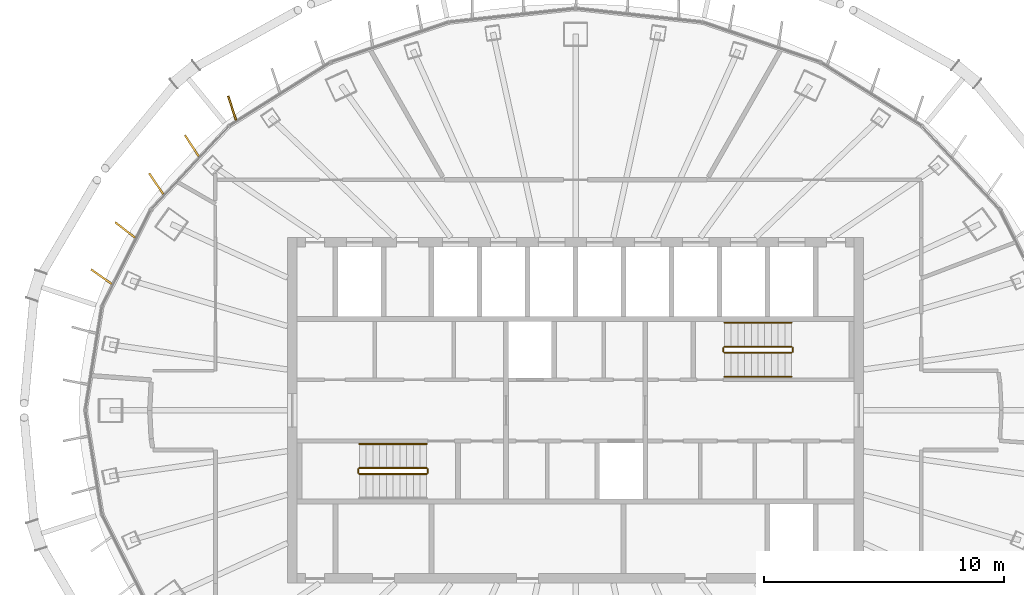
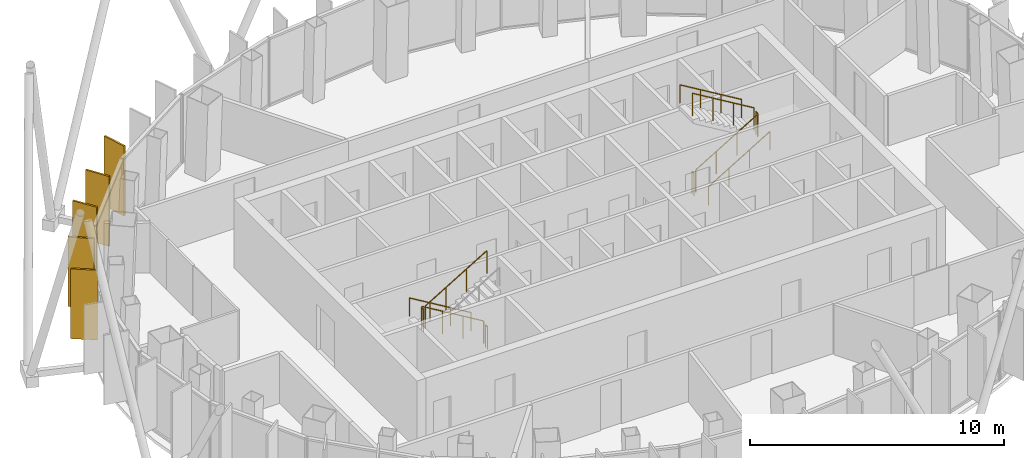
# One storey, part 17 of 18: 11 railings, 5 shading devices.
"""IFC4 building model written with IfcOpenShell, lengths in metres."""

from ifc_helpers import new_model, si_unit, direction, frame, origin, origin_2d, place, context, subcontext, project, spatial, rectangle, circle, extrude, material, layer, layer_set, type_object, element, save


model = new_model("IFC4")

# Units and contexts
model_context = context("Model", 3, precision=1e-05, world=origin(), true_north=direction((0.0, 1.0)))
body_context = subcontext(model_context, "Body", "Model", "MODEL_VIEW")
ifc_project = project(units=[si_unit("LENGTHUNIT", "METRE"), si_unit("AREAUNIT", "SQUARE_METRE"), si_unit("VOLUMEUNIT", "CUBIC_METRE"), si_unit("PLANEANGLEUNIT", "RADIAN"), si_unit("MASSUNIT", "GRAM", prefix="KILO")], contexts=[model_context])

# Site, building, storey
site_placement = place(None, origin())
site = spatial("IfcSite", under=ifc_project, at=site_placement, CompositionType="ELEMENT")
building_placement = place(site_placement, origin())
building = spatial("IfcBuilding", under=site, at=building_placement, Name="Siaravel Broadcast Tower", CompositionType="ELEMENT")
storey_placement = place(building_placement, frame((0.0, 0.0, 261.5)))
storey = spatial("IfcBuildingStorey", under=building, at=storey_placement, Name="L64", CompositionType="ELEMENT", Elevation=261.5)

# Shading devices
ifc_material_1 = material(Name="Bronze anodised aluminium", Category="aluminium")
ifc_layer = layer(ifc_material_1, 0.080078125)
ifc_layer_set = layer_set([ifc_layer], Name="Bronze anodised aluminium")
shading_device_type = type_object("IfcShadingDeviceType", Name="Bronze fin zone 4", PredefinedType="USERDEFINED", material=ifc_layer_set)
for number, where, z_axis, x_axis, name in (
    (1, (-14.306884765625, 12.593017578125, 0.300048828125), (0.0, 0.0, 1.0), (-0.311713096, 0.950176271, 0.0), "Bronze fin L64-21"),
    (2, (-15.98291015625, 11.02197265625, 0.300048828125), (0.0, 0.0, 1.0), (-0.546607746, 0.837388782, 0.0), "Bronze fin L64-22"),
    (3, (-17.46728515625, 9.440185546875, 0.300048828125), (0.0, 0.0, 1.0), (-0.561614141, 0.827399273, 0.0), "Bronze fin L64-23"),
    (4, (-18.76171875, 7.51513671875, 0.300048828125), (0.0, 0.0, 1.0), (-0.790980122, 0.611841847, 0.0), "Bronze fin L64-24"),
    (5, (-19.750244140625, 5.569091796875, 0.300048828125), (0.0, 0.0, 1.0), (-0.81719721, 0.576358152, 0.0), "Bronze fin L64-25"),
):
    element("IfcShadingDevice", number, at=place(storey_placement, frame(where, z_axis=z_axis, x_axis=x_axis)), inside=storey, type_object=shading_device_type, Name=name, ObjectType="FIN", PredefinedType="USERDEFINED", context=body_context, shape_type="SweptSolid", body=[
        extrude(rectangle(XDim=1.050048828125, YDim=0.080078125, at=origin_2d()), origin(), (0.0, 0.0, 1.0), 3.35009765625),
    ])

# Railings
ifc_material_2 = material(Name="Stainless steel 316L", Category="steel")
railing_type_1 = type_object("IfcRailingType", Name="Stair guard 1100", PredefinedType="GUARDRAIL", material=ifc_material_2)
railing_1_placement = place(storey_placement, frame((-6.199951171875, -2.39990234375, 0.168212890625)))
element("IfcRailing", 6, at=railing_1_placement, inside=storey, type_object=railing_type_1, Name="L64 ST-1 stair guard 1", PredefinedType="GUARDRAIL", context=body_context, shape_type="SweptSolid", body=[
    extrude(circle(Radius=0.02392578125, at=origin_2d()), frame((0.0, 0.0, 1.076171875), z_axis=(-0.857242211, 0.0, 0.514913383), x_axis=(0.0, -1.0, 0.0)), (0.0, 0.0, 1.0), 3.266357421875),
    extrude(circle(Radius=0.02099609375, at=origin_2d()), origin(), (0.0, 0.0, 1.0), 1.052001953125),
    extrude(circle(Radius=0.02099609375, at=origin_2d()), frame((-0.933349609375, 0.0, 0.560546875)), (0.0, 0.0, 1.0), 1.052001953125),
    extrude(circle(Radius=0.02099609375, at=origin_2d()), frame((-1.86669921875, 0.0, 1.121337890625)), (0.0, 0.0, 1.0), 1.052001953125),
    extrude(circle(Radius=0.02099609375, at=origin_2d()), frame((-2.800048828125, 0.0, 1.681884765625)), (0.0, 0.0, 1.0), 1.052001953125),
])
railing_2_placement = place(storey_placement, frame((-9.050048828125, -2.449951171875, 1.85009765625)))
element("IfcRailing", 7, at=railing_2_placement, inside=storey, type_object=railing_type_1, Name="L64 ST-1 stair guard 2", PredefinedType="GUARDRAIL", context=body_context, shape_type="SweptSolid", body=[
    extrude(circle(Radius=0.02392578125, at=origin_2d()), frame((0.0, 0.0, 1.076171875), z_axis=(0.0, -1.0, 0.0), x_axis=(1.0, 0.0, 0.0)), (0.0, 0.0, 1.0), 0.150146484375),
    extrude(circle(Radius=0.02099609375, at=origin_2d()), origin(), (0.0, 0.0, 1.0), 1.052001953125),
    extrude(circle(Radius=0.02099609375, at=origin_2d()), frame((0.0, -0.150146484375, 0.0)), (0.0, 0.0, 1.0), 1.052001953125),
])
railing_3_placement = place(storey_placement, frame((-9.0, -2.64990234375, 2.01806640625)))
element("IfcRailing", 8, at=railing_3_placement, inside=storey, type_object=railing_type_1, Name="L64 ST-1 stair guard 3", PredefinedType="GUARDRAIL", context=body_context, shape_type="SweptSolid", body=[
    extrude(circle(Radius=0.02392578125, at=origin_2d()), frame((0.0, 0.0, 1.076171875), z_axis=(0.857242211, 0.0, 0.514913383), x_axis=(0.0, 1.0, 0.0)), (0.0, 0.0, 1.0), 3.266357421875),
    extrude(circle(Radius=0.02099609375, at=origin_2d()), origin(), (0.0, 0.0, 1.0), 1.052001953125),
    extrude(circle(Radius=0.02099609375, at=origin_2d()), frame((0.933349609375, 0.0, 0.560546875)), (0.0, 0.0, 1.0), 1.052001953125),
    extrude(circle(Radius=0.02099609375, at=origin_2d()), frame((1.86669921875, 0.0, 1.121337890625)), (0.0, 0.0, 1.0), 1.052001953125),
    extrude(circle(Radius=0.02099609375, at=origin_2d()), frame((2.800048828125, 0.0, 1.681884765625)), (0.0, 0.0, 1.0), 1.052001953125),
])
railing_4_placement = place(storey_placement, frame((-6.14990234375, -2.449951171875, 0.0)))
element("IfcRailing", 9, at=railing_4_placement, inside=storey, type_object=railing_type_1, Name="L64 ST-1 stair guard 4", PredefinedType="GUARDRAIL", context=body_context, shape_type="SweptSolid", body=[
    extrude(circle(Radius=0.02392578125, at=origin_2d()), frame((0.0, 0.0, 1.076171875), z_axis=(0.0, -1.0, 0.0), x_axis=(1.0, 0.0, 0.0)), (0.0, 0.0, 1.0), 0.150146484375),
    extrude(circle(Radius=0.02099609375, at=origin_2d()), origin(), (0.0, 0.0, 1.0), 1.052001953125),
    extrude(circle(Radius=0.02099609375, at=origin_2d()), frame((0.0, -0.150146484375, 0.0)), (0.0, 0.0, 1.0), 1.052001953125),
])
railing_5_placement = place(storey_placement, frame((6.199951171875, 2.39990234375, 0.168212890625)))
element("IfcRailing", 10, at=railing_5_placement, inside=storey, type_object=railing_type_1, Name="L64 ST-2 stair guard 1", PredefinedType="GUARDRAIL", context=body_context, shape_type="SweptSolid", body=[
    extrude(circle(Radius=0.02392578125, at=origin_2d()), frame((0.0, 0.0, 1.076171875), z_axis=(0.857242211, 0.0, 0.514913383), x_axis=(0.0, 1.0, 0.0)), (0.0, 0.0, 1.0), 3.266357421875),
    extrude(circle(Radius=0.02099609375, at=origin_2d()), origin(), (0.0, 0.0, 1.0), 1.052001953125),
    extrude(circle(Radius=0.02099609375, at=origin_2d()), frame((0.933349609375, 0.0, 0.560546875)), (0.0, 0.0, 1.0), 1.052001953125),
    extrude(circle(Radius=0.02099609375, at=origin_2d()), frame((1.86669921875, 0.0, 1.121337890625)), (0.0, 0.0, 1.0), 1.052001953125),
    extrude(circle(Radius=0.02099609375, at=origin_2d()), frame((2.800048828125, 0.0, 1.681884765625)), (0.0, 0.0, 1.0), 1.052001953125),
])
railing_6_placement = place(storey_placement, frame((9.050048828125, 2.449951171875, 1.85009765625)))
element("IfcRailing", 11, at=railing_6_placement, inside=storey, type_object=railing_type_1, Name="L64 ST-2 stair guard 2", PredefinedType="GUARDRAIL", context=body_context, shape_type="SweptSolid", body=[
    extrude(circle(Radius=0.02392578125, at=origin_2d()), frame((0.0, 0.0, 1.076171875), z_axis=(0.0, 1.0, 0.0), x_axis=(-1.0, 0.0, 0.0)), (0.0, 0.0, 1.0), 0.150146484375),
    extrude(circle(Radius=0.02099609375, at=origin_2d()), origin(), (0.0, 0.0, 1.0), 1.052001953125),
    extrude(circle(Radius=0.02099609375, at=origin_2d()), frame((0.0, 0.150146484375, 0.0)), (0.0, 0.0, 1.0), 1.052001953125),
])
railing_7_placement = place(storey_placement, frame((9.0, 2.64990234375, 2.01806640625)))
element("IfcRailing", 12, at=railing_7_placement, inside=storey, type_object=railing_type_1, Name="L64 ST-2 stair guard 3", PredefinedType="GUARDRAIL", context=body_context, shape_type="SweptSolid", body=[
    extrude(circle(Radius=0.02392578125, at=origin_2d()), frame((0.0, 0.0, 1.076171875), z_axis=(-0.857242211, 0.0, 0.514913383), x_axis=(0.0, -1.0, 0.0)), (0.0, 0.0, 1.0), 3.266357421875),
    extrude(circle(Radius=0.02099609375, at=origin_2d()), origin(), (0.0, 0.0, 1.0), 1.052001953125),
    extrude(circle(Radius=0.02099609375, at=origin_2d()), frame((-0.933349609375, 0.0, 0.560546875)), (0.0, 0.0, 1.0), 1.052001953125),
    extrude(circle(Radius=0.02099609375, at=origin_2d()), frame((-1.86669921875, 0.0, 1.121337890625)), (0.0, 0.0, 1.0), 1.052001953125),
    extrude(circle(Radius=0.02099609375, at=origin_2d()), frame((-2.800048828125, 0.0, 1.681884765625)), (0.0, 0.0, 1.0), 1.052001953125),
])
railing_8_placement = place(storey_placement, frame((6.14990234375, 2.449951171875, 0.0)))
element("IfcRailing", 13, at=railing_8_placement, inside=storey, type_object=railing_type_1, Name="L64 ST-2 stair guard 4", PredefinedType="GUARDRAIL", context=body_context, shape_type="SweptSolid", body=[
    extrude(circle(Radius=0.02392578125, at=origin_2d()), frame((0.0, 0.0, 1.076171875), z_axis=(0.0, 1.0, 0.0), x_axis=(-1.0, 0.0, 0.0)), (0.0, 0.0, 1.0), 0.150146484375),
    extrude(circle(Radius=0.02099609375, at=origin_2d()), origin(), (0.0, 0.0, 1.0), 1.052001953125),
    extrude(circle(Radius=0.02099609375, at=origin_2d()), frame((0.0, 0.150146484375, 0.0)), (0.0, 0.0, 1.0), 1.052001953125),
])
railing_type_2 = type_object("IfcRailingType", Name="Stair handrail 900", PredefinedType="HANDRAIL", material=ifc_material_2)
railing_9_placement = place(storey_placement, frame((-6.199951171875, -1.39990234375, 0.168212890625)))
element("IfcRailing", 14, at=railing_9_placement, inside=storey, type_object=railing_type_2, Name="L64 ST-1 stair handrail 1", PredefinedType="HANDRAIL", context=body_context, shape_type="SweptSolid", body=[
    extrude(circle(Radius=0.02392578125, at=origin_2d()), frame((0.0, 0.0, 0.8759765625), z_axis=(-0.857242211, 0.0, 0.514913383), x_axis=(0.0, -1.0, 0.0)), (0.0, 0.0, 1.0), 3.266357421875),
    extrude(circle(Radius=0.02099609375, at=origin_2d()), origin(), (0.0, 0.0, 1.0), 0.851806640625),
    extrude(circle(Radius=0.02099609375, at=origin_2d()), frame((-0.933349609375, 0.0, 0.560546875)), (0.0, 0.0, 1.0), 0.851806640625),
    extrude(circle(Radius=0.02099609375, at=origin_2d()), frame((-1.86669921875, 0.0, 1.121337890625)), (0.0, 0.0, 1.0), 0.851806640625),
    extrude(circle(Radius=0.02099609375, at=origin_2d()), frame((-2.800048828125, 0.0, 1.681884765625)), (0.0, 0.0, 1.0), 0.851806640625),
])
railing_10_placement = place(storey_placement, frame((6.199951171875, 1.39990234375, 0.168212890625)))
element("IfcRailing", 15, at=railing_10_placement, inside=storey, type_object=railing_type_2, Name="L64 ST-2 stair handrail 1", PredefinedType="HANDRAIL", context=body_context, shape_type="SweptSolid", body=[
    extrude(circle(Radius=0.02392578125, at=origin_2d()), frame((0.0, 0.0, 0.8759765625), z_axis=(0.857242211, 0.0, 0.514913383), x_axis=(0.0, 1.0, 0.0)), (0.0, 0.0, 1.0), 3.266357421875),
    extrude(circle(Radius=0.02099609375, at=origin_2d()), origin(), (0.0, 0.0, 1.0), 0.851806640625),
    extrude(circle(Radius=0.02099609375, at=origin_2d()), frame((0.933349609375, 0.0, 0.560546875)), (0.0, 0.0, 1.0), 0.851806640625),
    extrude(circle(Radius=0.02099609375, at=origin_2d()), frame((1.86669921875, 0.0, 1.121337890625)), (0.0, 0.0, 1.0), 0.851806640625),
    extrude(circle(Radius=0.02099609375, at=origin_2d()), frame((2.800048828125, 0.0, 1.681884765625)), (0.0, 0.0, 1.0), 0.851806640625),
])
railing_11_placement = place(storey_placement, frame((9.0, 3.64990234375, 2.01806640625)))
element("IfcRailing", 16, at=railing_11_placement, inside=storey, type_object=railing_type_2, Name="L64 ST-2 stair handrail 2", PredefinedType="HANDRAIL", context=body_context, shape_type="SweptSolid", body=[
    extrude(circle(Radius=0.02392578125, at=origin_2d()), frame((0.0, 0.0, 0.8759765625), z_axis=(-0.857242211, 0.0, 0.514913383), x_axis=(0.0, -1.0, 0.0)), (0.0, 0.0, 1.0), 3.266357421875),
    extrude(circle(Radius=0.02099609375, at=origin_2d()), origin(), (0.0, 0.0, 1.0), 0.851806640625),
    extrude(circle(Radius=0.02099609375, at=origin_2d()), frame((-0.933349609375, 0.0, 0.560546875)), (0.0, 0.0, 1.0), 0.851806640625),
    extrude(circle(Radius=0.02099609375, at=origin_2d()), frame((-1.86669921875, 0.0, 1.121337890625)), (0.0, 0.0, 1.0), 0.851806640625),
    extrude(circle(Radius=0.02099609375, at=origin_2d()), frame((-2.800048828125, 0.0, 1.681884765625)), (0.0, 0.0, 1.0), 0.851806640625),
])

save(model, "model.ifc")
